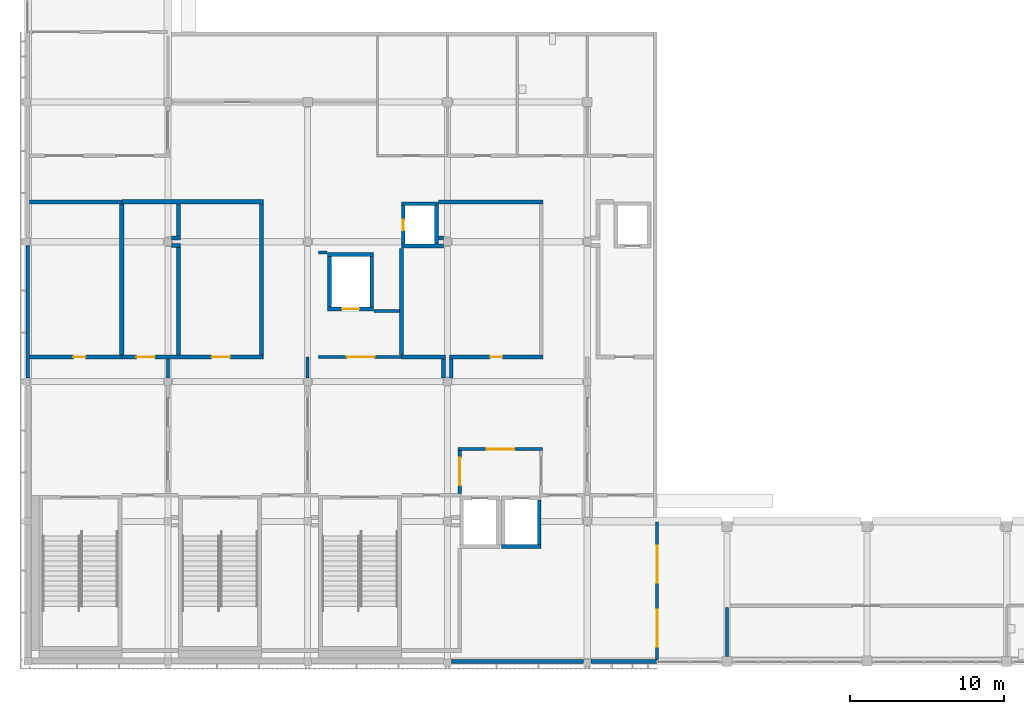
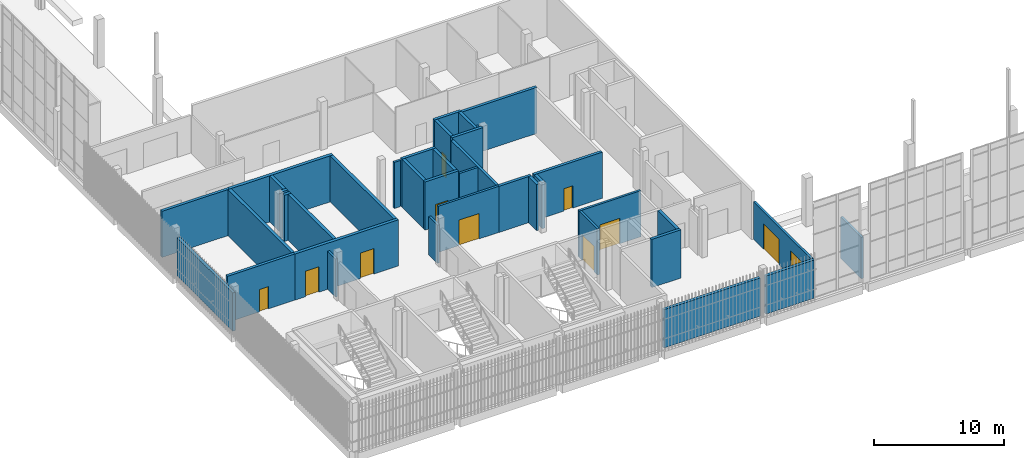
# One storey, part 41 of 91: 39 walls, 11 doors, 11 openings.
"""IFC4 building model written with IfcOpenShell, lengths in metres."""

import ifcopenshell
import ifcopenshell.guid

model = None  # the IFC model being written
_history = None  # IfcOwnerHistory: only IFC2X3 demands one
_inside = {}  # id of a spatial element -> (the spatial element, [elements in it])
_under = {}  # id of a project, library or spatial element -> (it, [spatial elements below it])
_declared = {}  # id of a project -> (the project, [libraries it declares])
_typed = {}  # id of a type object -> (the type object, [elements of that type])
_made_of = {}  # id of a material, layer set ... -> (it, [elements and type objects made of it])


def new_model(schema):
    """Start an empty IFC model of exactly this schema.

    Asked for "IFC4X3", IfcOpenShell would pick the latest addendum, in which some entities
    have other attributes; the version numbers below select the first issue.
    IFC2X3 requires an IfcOwnerHistory on every rooted entity: one is made here for all.
    """
    global model, _history
    if schema == "IFC4X3":
        model = ifcopenshell.file(schema_version=(4, 3, 0, 0))
    else:
        model = ifcopenshell.file(schema=schema)
    _inside.clear()
    _under.clear()
    _declared.clear()
    _typed.clear()
    _made_of.clear()
    _history = None
    if model.schema == "IFC2X3":
        org = make("IfcOrganization", Name="unknown")
        user = make(
            "IfcPersonAndOrganization",
            ThePerson=make("IfcPerson", FamilyName="unknown"),
            TheOrganization=org,
        )
        app = make(
            "IfcApplication",
            ApplicationDeveloper=org,
            Version="unknown",
            ApplicationFullName="unknown",
            ApplicationIdentifier="unknown",
        )
        _history = make(
            "IfcOwnerHistory",
            OwningUser=user,
            OwningApplication=app,
            ChangeAction="ADDED",
            CreationDate=0,
        )
    return model


def make(cls, **values):
    """One entity of the class cls with the attributes given. An attribute that is None is left unset."""
    return model.create_entity(
        cls, **{name: value for name, value in values.items() if value is not None}
    )


def rooted(cls, **values):
    """An entity with a GlobalId (a new one), such as an element, a storey or a relation."""
    return make(cls, GlobalId=ifcopenshell.guid.new(), OwnerHistory=_history, **values)


def si_unit(unit_type, name, prefix=None):
    """IfcSIUnit, for example si_unit("LENGTHUNIT", "METRE", prefix="MILLI")."""
    return make("IfcSIUnit", UnitType=unit_type, Prefix=prefix, Name=name)


def assignment(units):
    """IfcUnitAssignment: the units of a project."""
    return None if units is None else make("IfcUnitAssignment", Units=units)


def point(xyz):
    """IfcCartesianPoint."""
    return None if xyz is None else make("IfcCartesianPoint", Coordinates=xyz)


def direction(xyz):
    """IfcDirection."""
    return None if xyz is None else make("IfcDirection", DirectionRatios=xyz)


def frame(location, z_axis=None, x_axis=None):
    """IfcAxis2Placement3D, a coordinate frame: its origin and axes. An axis left out is left unset."""
    return make(
        "IfcAxis2Placement3D",
        Location=point(location),
        Axis=direction(z_axis),
        RefDirection=direction(x_axis),
    )


def frame_2d(location, x_axis=None):
    """IfcAxis2Placement2D, a coordinate frame in the plane: its origin and x axis."""
    return make(
        "IfcAxis2Placement2D", Location=point(location), RefDirection=direction(x_axis)
    )


def origin():
    """The frame at (0, 0, 0) with its axes left unset."""
    return frame((0.0, 0.0, 0.0))


def place(relative_to, where):
    """IfcLocalPlacement: puts the frame where relative to a parent placement (None: the world)."""
    return make(
        "IfcLocalPlacement", PlacementRelTo=relative_to, RelativePlacement=where
    )


def context(
    kind, dimensions, precision=None, world=None, true_north=None, identifier=None
):
    """IfcGeometricRepresentationContext, for example the 3D "Model" context."""
    return make(
        "IfcGeometricRepresentationContext",
        ContextIdentifier=identifier,
        ContextType=kind,
        CoordinateSpaceDimension=dimensions,
        Precision=precision,
        WorldCoordinateSystem=world,
        TrueNorth=true_north,
    )


def subcontext(parent, identifier, kind, view, scale=None):
    """IfcGeometricRepresentationSubContext, for example "Body" below "Model"."""
    return make(
        "IfcGeometricRepresentationSubContext",
        ContextIdentifier=identifier,
        ContextType=kind,
        ParentContext=parent,
        TargetScale=scale,
        TargetView=view,
    )


def project(units=None, contexts=None):
    """IfcProject with its units and contexts."""
    return rooted(
        "IfcProject",
        Name="project",
        RepresentationContexts=contexts,
        UnitsInContext=assignment(units),
    )


def spatial(cls, under=None, at=None, **own):
    """A site, building, storey or space (cls), placed at a placement, below another one or the project."""
    s = rooted(cls, ObjectPlacement=at, **own)
    if under is not None:
        _under.setdefault(under.id(), (under, []))[1].append(s)
    return s


def profile(cls, at=None, kind="AREA", **sizes):
    """A parametric profile (cls). Its sizes go by their IFC names, for example OverallWidth=200.0."""
    return make(cls, ProfileType=kind, Position=at, **sizes)


def rectangle(**sizes):
    """IfcRectangleProfileDef."""
    return profile("IfcRectangleProfileDef", **sizes)


def extrude(swept, where, along, depth):
    """IfcExtrudedAreaSolid: the profile swept, set in the frame where, extruded along a direction by depth."""
    return make(
        "IfcExtrudedAreaSolid",
        SweptArea=swept,
        Position=where,
        ExtrudedDirection=direction(along),
        Depth=depth,
    )


def shape(context_of_items, identifier, shape_type, items):
    """IfcShapeRepresentation: the items that make up one representation, for example the "Body"."""
    return make(
        "IfcShapeRepresentation",
        ContextOfItems=context_of_items,
        RepresentationIdentifier=identifier,
        RepresentationType=shape_type,
        Items=items,
    )


def material(Name=None, Category=None):
    """IfcMaterial."""
    return make("IfcMaterial", Name=Name, Category=Category)


def layer(
    of_material, thickness, ventilated=None, Name=None, Category=None, Priority=None
):
    """IfcMaterialLayer: one layer of a wall or slab, of a material (None: an air gap)."""
    return make(
        "IfcMaterialLayer",
        Material=of_material,
        LayerThickness=thickness,
        IsVentilated=ventilated,
        Name=Name,
        Category=Category,
        Priority=Priority,
    )


def layer_set(layers, Name=None):
    """IfcMaterialLayerSet."""
    return make("IfcMaterialLayerSet", MaterialLayers=layers, LayerSetName=Name)


def made_of(thing, what):
    """Note that an element or type object is made of a material, layer set ...; save() writes the relation."""
    if what is not None:
        _made_of.setdefault(what.id(), (what, []))[1].append(thing)
    return thing


def type_object(cls, material=None, **own):
    """A type object (cls), such as IfcWallType, which elements share."""
    return made_of(rooted(cls, **own), material)


def element(
    cls,
    number,
    at=None,
    inside=None,
    cuts=None,
    type_object=None,
    material=None,
    context=None,
    identifier="Body",
    shape_type=None,
    held_by="IfcProductDefinitionShape",
    body=None,
    shapes=None,
    **own,
):
    """One element of the class cls, such as IfcWall. Its Tag is "e" and its number.

    at: its placement. inside: the storey or other place that contains it. cuts: it is an
    opening in that element (IfcRelVoidsElement). A single representation is given by context,
    identifier, shape_type and body (its items); several are given by shapes. held_by: the class
    of the entity that holds the representations. save() writes the other relations.
    """
    e = rooted(cls, Tag="e%d" % number, ObjectPlacement=at, **own)
    if body is not None:
        shapes = [shape(context, identifier, shape_type, body)]
    if shapes is not None:
        e.Representation = make(held_by, Representations=shapes)
    if inside is not None:
        _inside.setdefault(inside.id(), (inside, []))[1].append(e)
    if cuts is not None:
        rooted(
            "IfcRelVoidsElement", RelatingBuildingElement=cuts, RelatedOpeningElement=e
        )
    if type_object is not None:
        _typed.setdefault(type_object.id(), (type_object, []))[1].append(e)
    return made_of(e, material)


def fill(opening, filler):
    """IfcRelFillsElement: the door or window that sits in an opening."""
    return rooted(
        "IfcRelFillsElement",
        RelatingOpeningElement=opening,
        RelatedBuildingElement=filler,
    )


def aggregate(whole, parts):
    """IfcRelAggregates: a whole, such as a stair, and the parts it consists of."""
    return rooted("IfcRelAggregates", RelatingObject=whole, RelatedObjects=parts)


def save(model, path):
    """Write the relations noted so far, then the file.

    IfcRelAggregates (storeys below a building ...), IfcRelContainedInSpatialStructure (elements
    in a storey), IfcRelDefinesByType, IfcRelAssociatesMaterial and IfcRelDeclares: one each for
    every whole, place, type object, material and project.
    """
    for whole, parts in _under.values():
        aggregate(whole, parts)
    for where, things in _inside.values():
        rooted(
            "IfcRelContainedInSpatialStructure",
            RelatedElements=things,
            RelatingStructure=where,
        )
    for kind, things in _typed.values():
        rooted("IfcRelDefinesByType", RelatedObjects=things, RelatingType=kind)
    for what, things in _made_of.values():
        rooted("IfcRelAssociatesMaterial", RelatedObjects=things, RelatingMaterial=what)
    for by, libraries in _declared.values():
        rooted("IfcRelDeclares", RelatingContext=by, RelatedDefinitions=libraries)
    model.write(path)


model = new_model("IFC4")

# Units and contexts
model_context = context("Model", 3, precision=1e-05, world=origin(), true_north=direction((0.0, 1.0)))
body_context = subcontext(model_context, "Body", "Model", "MODEL_VIEW")
ifc_project = project(units=[si_unit("LENGTHUNIT", "METRE"), si_unit("AREAUNIT", "SQUARE_METRE"), si_unit("VOLUMEUNIT", "CUBIC_METRE"), si_unit("PLANEANGLEUNIT", "RADIAN"), si_unit("MASSUNIT", "GRAM", prefix="KILO")], contexts=[model_context])

# Site, building, storey
site_placement = place(None, origin())
site = spatial("IfcSite", under=ifc_project, at=site_placement, CompositionType="ELEMENT")
building_placement = place(site_placement, origin())
building = spatial("IfcBuilding", under=site, at=building_placement, Name="Shirokan Park Arena", CompositionType="ELEMENT")
storey_placement = place(building_placement, frame((0.0, 0.0, 24.570068359375)))
storey = spatial("IfcBuildingStorey", under=building, at=storey_placement, Name="L05", CompositionType="ELEMENT", Elevation=24.570068359375)

# Wall, opening, door
ifc_material_1 = material(Name="Plaster")
ifc_layer_1 = layer(ifc_material_1, 0.014892578125, Name="Plaster")
ifc_material_2 = material(Name="Concrete blockwork", Category="masonry")
ifc_layer_2 = layer(ifc_material_2, 0.219970703125, Name="Concrete blockwork 220")
ifc_layer_3 = layer(ifc_material_1, 0.014892578125, Name="Plaster")
ifc_layer_set_1 = layer_set([ifc_layer_1, ifc_layer_2, ifc_layer_3], Name="Plaster + Concrete blockwork 220")
wall_type_1 = type_object("IfcWallType", Name="Compartment wall 250", PredefinedType="SOLIDWALL", material=ifc_layer_set_1)
wall_1_placement = place(storey_placement, frame((0.10009765625, 19.800048828125, 0.0), z_axis=(0.0, 0.0, 1.0), x_axis=(1.0, 0.0, 0.0)))
wall_1 = element("IfcWall", 1, at=wall_1_placement, inside=storey, type_object=wall_type_1, Name="Compartment wall 250 L05", PredefinedType="SOLIDWALL", context=body_context, shape_type="SweptSolid", body=[
    extrude(rectangle(XDim=6.0, YDim=0.25, at=frame_2d((3.0, 0.0))), origin(), (0.0, 0.0, 1.0), 4.349853515625),
])
opening_1_placement = place(wall_1_placement, frame((2.85009765625, 0.0, 0.0)))
opening_1 = element("IfcOpeningElement", 2, at=opening_1_placement, cuts=wall_1, Name="Opening D-5004", PredefinedType="OPENING", context=body_context, shape_type="SweptSolid", body=[
    extrude(rectangle(XDim=0.800048828125, YDim=2.10009765625, at=frame_2d((0.39990234375, 1.050048828125))), frame((0.0, 0.135009765625, 0.0), z_axis=(0.0, -1.0, 0.0), x_axis=(1.0, 0.0, 0.0)), (0.0, 0.0, 1.0), 0.27001953125),
])
ifc_material_3 = material(Name="Timber door set, fire resisting", Category="wood")
door_type_1 = type_object("IfcDoorType", Name="Cleaner store door 800 x 2100", OperationType="SINGLE_SWING_LEFT", PredefinedType="DOOR", material=ifc_material_3)
door_1_placement = place(opening_1_placement, origin())
door_1 = element("IfcDoor", 3, at=door_1_placement, inside=storey, type_object=door_type_1, Name="Door to Cleaner's Store 5.15 D-5004", OperationType="SINGLE_SWING_RIGHT", OverallHeight=2.10009765625, OverallWidth=0.800048828125, PredefinedType="DOOR", context=body_context, shape_type="SweptSolid", body=[
    extrude(rectangle(XDim=0.800048828125, YDim=2.10009765625, at=frame_2d((0.39990234375, 1.050048828125))), frame((0.0, 0.02490234375, 0.0), z_axis=(0.0, -1.0, 0.0), x_axis=(1.0, 0.0, 0.0)), (0.0, 0.0, 1.0), 0.050048828125),
])
fill(opening_1, door_1)

# Walls
wall_2_placement = place(storey_placement, frame((0.10009765625, 29.89990234375, 0.0), z_axis=(0.0, 0.0, 1.0), x_axis=(1.0, 0.0, 0.0)))
element("IfcWall", 4, at=wall_2_placement, inside=storey, type_object=wall_type_1, Name="Compartment wall 250 L05", PredefinedType="SOLIDWALL", context=body_context, shape_type="SweptSolid", body=[
    extrude(rectangle(XDim=6.0, YDim=0.25, at=frame_2d((3.0, 0.0))), origin(), (0.0, 0.0, 1.0), 4.349853515625),
])
wall_3_placement = place(storey_placement, frame((24.300048828125, 19.800048828125, 0.0), z_axis=(0.0, 0.0, 1.0), x_axis=(1.0, 0.0, 0.0)))
element("IfcWall", 5, at=wall_3_placement, inside=storey, type_object=wall_type_1, Name="Compartment wall 250 L05", PredefinedType="SOLIDWALL", context=body_context, shape_type="SweptSolid", body=[
    extrude(rectangle(XDim=2.875, YDim=0.25, at=frame_2d((1.4375, 0.0))), origin(), (0.0, 0.0, 1.0), 4.349853515625),
])
wall_4_placement = place(storey_placement, frame((24.300048828125, 19.925048828125, 0.0), z_axis=(0.0, 0.0, 1.0), x_axis=(0.0, 1.0, 0.0)))
element("IfcWall", 6, at=wall_4_placement, inside=storey, type_object=wall_type_1, Name="Compartment wall 250 L05", PredefinedType="SOLIDWALL", context=body_context, shape_type="SweptSolid", body=[
    extrude(rectangle(XDim=6.945068359375, YDim=0.25, at=frame_2d((3.47265625, 0.0))), origin(), (0.0, 0.0, 1.0), 4.349853515625),
])
wall_5_placement = place(storey_placement, frame((26.72998046875, 29.89990234375, 0.0), z_axis=(0.0, 0.0, 1.0), x_axis=(1.0, 0.0, 0.0)))
element("IfcWall", 7, at=wall_5_placement, inside=storey, type_object=wall_type_1, Name="Compartment wall 250 L05", PredefinedType="SOLIDWALL", context=body_context, shape_type="SweptSolid", body=[
    extrude(rectangle(XDim=6.794921875, YDim=0.25, at=frame_2d((3.3974609375, 0.0))), origin(), (0.0, 0.0, 1.0), 4.349853515625),
])
wall_6_placement = place(storey_placement, frame((27.050048828125, 19.675048828125, 0.0), z_axis=(0.0, 0.0, 1.0), x_axis=(0.0, -1.0, 0.0)))
element("IfcWall", 8, at=wall_6_placement, inside=storey, type_object=wall_type_1, Name="Compartment wall 250 L05", PredefinedType="SOLIDWALL", context=body_context, shape_type="SweptSolid", body=[
    extrude(rectangle(XDim=1.22509765625, YDim=0.25, at=frame_2d((0.612548828125, 0.0))), origin(), (0.0, 0.0, 1.0), 4.349853515625),
])
wall_7_placement = place(storey_placement, frame((27.050048828125, 27.550048828125, 0.0), z_axis=(0.0, 0.0, 1.0), x_axis=(-1.0, 0.0, 0.0)))
element("IfcWall", 9, at=wall_7_placement, inside=storey, type_object=wall_type_1, Name="Compartment wall 250 L05", PredefinedType="SOLIDWALL", context=body_context, shape_type="SweptSolid", body=[
    extrude(rectangle(XDim=0.320068359375, YDim=0.25, at=frame_2d((0.16015625, 0.0))), origin(), (0.0, 0.0, 1.0), 4.349853515625),
])

# Wall, opening, door
wall_8_placement = place(storey_placement, frame((27.425048828125, 19.800048828125, 0.0), z_axis=(0.0, 0.0, 1.0), x_axis=(1.0, 0.0, 0.0)))
wall_8 = element("IfcWall", 10, at=wall_8_placement, inside=storey, type_object=wall_type_1, Name="Compartment wall 250 L05", PredefinedType="SOLIDWALL", context=body_context, shape_type="SweptSolid", body=[
    extrude(rectangle(XDim=6.099853515625, YDim=0.25, at=frame_2d((3.0498046875, 0.0))), origin(), (0.0, 0.0, 1.0), 4.349853515625),
])
opening_2_placement = place(wall_8_placement, frame((2.64990234375, 0.0, 0.0)))
opening_2 = element("IfcOpeningElement", 11, at=opening_2_placement, cuts=wall_8, Name="Opening D-5002", PredefinedType="OPENING", context=body_context, shape_type="SweptSolid", body=[
    extrude(rectangle(XDim=0.800048828125, YDim=2.10009765625, at=frame_2d((0.39990234375, 1.050048828125))), frame((0.0, 0.135009765625, 0.0), z_axis=(0.0, -1.0, 0.0), x_axis=(1.0, 0.0, 0.0)), (0.0, 0.0, 1.0), 0.27001953125),
])
door_2_placement = place(opening_2_placement, origin())
door_2 = element("IfcDoor", 12, at=door_2_placement, inside=storey, type_object=door_type_1, Name="Door to Cleaner's Store 5.18 D-5002", OperationType="SINGLE_SWING_LEFT", OverallHeight=2.10009765625, OverallWidth=0.800048828125, PredefinedType="DOOR", context=body_context, shape_type="SweptSolid", body=[
    extrude(rectangle(XDim=0.800048828125, YDim=2.10009765625, at=frame_2d((0.39990234375, 1.050048828125))), frame((0.0, 0.02490234375, 0.0), z_axis=(0.0, -1.0, 0.0), x_axis=(1.0, 0.0, 0.0)), (0.0, 0.0, 1.0), 0.050048828125),
])
fill(opening_2, door_2)

# Walls
wall_9_placement = place(storey_placement, frame((27.550048828125, 18.449951171875, 0.0), z_axis=(0.0, 0.0, 1.0), x_axis=(0.0, 1.0, 0.0)))
element("IfcWall", 13, at=wall_9_placement, inside=storey, type_object=wall_type_1, Name="Compartment wall 250 L05", PredefinedType="SOLIDWALL", context=body_context, shape_type="SweptSolid", body=[
    extrude(rectangle(XDim=1.22509765625, YDim=0.25, at=frame_2d((0.612548828125, 0.0))), origin(), (0.0, 0.0, 1.0), 4.349853515625),
])
ifc_material_4 = material(Name="Gypsum board")
ifc_layer_4 = layer(ifc_material_4, 0.02490234375, Name="Gypsum board, two layers")
ifc_material_5 = material(Name="Mineral wool insulation")
ifc_layer_5 = layer(ifc_material_5, 0.14990234375, Name="Mineral wool insulation")
ifc_layer_6 = layer(ifc_material_4, 0.02490234375, Name="Gypsum board, two layers")
ifc_layer_set_2 = layer_set([ifc_layer_4, ifc_layer_5, ifc_layer_6], Name="Gypsum board, two layers + Mineral wool insulation")
wall_type_2 = type_object("IfcWallType", Name="Corridor wall 200", PredefinedType="PARTITIONING", material=ifc_layer_set_2)
wall_10_placement = place(storey_placement, frame((9.10009765625, 19.66259765625, 0.0), z_axis=(0.0, 0.0, 1.0), x_axis=(0.0, -1.0, 0.0)))
element("IfcWall", 14, at=wall_10_placement, inside=storey, type_object=wall_type_2, Name="Corridor wall 200 L05", PredefinedType="PARTITIONING", context=body_context, shape_type="SweptSolid", body=[
    extrude(rectangle(XDim=1.212646484375, YDim=0.199951171875, at=frame_2d((0.6064453125, 0.0))), origin(), (0.0, 0.0, 1.0), 3.599853515625),
])
wall_11_placement = place(storey_placement, frame((18.199951171875, 19.800048828125, 0.0), z_axis=(0.0, 0.0, 1.0), x_axis=(0.0, -1.0, 0.0)))
element("IfcWall", 15, at=wall_11_placement, inside=storey, type_object=wall_type_2, Name="Corridor wall 200 L05", PredefinedType="PARTITIONING", context=body_context, shape_type="SweptSolid", body=[
    extrude(rectangle(XDim=1.35009765625, YDim=0.199951171875, at=frame_2d((0.675048828125, 0.0))), origin(), (0.0, 0.0, 1.0), 3.599853515625),
])

# Wall, opening, door
wall_12_placement = place(storey_placement, frame((18.89990234375, 19.800048828125, 0.0), z_axis=(0.0, 0.0, 1.0), x_axis=(1.0, 0.0, 0.0)))
wall_12 = element("IfcWall", 16, at=wall_12_placement, inside=storey, type_object=wall_type_2, Name="Corridor wall 200 L05", PredefinedType="PARTITIONING", context=body_context, shape_type="SweptSolid", body=[
    extrude(rectangle(XDim=5.400146484375, YDim=0.199951171875, at=frame_2d((2.7001953125, 0.0))), origin(), (0.0, 0.0, 1.0), 4.349853515625),
])
opening_3_placement = place(wall_12_placement, frame((1.85009765625, 0.0, 0.0)))
opening_3 = element("IfcOpeningElement", 17, at=opening_3_placement, cuts=wall_12, Name="Opening D-5070", PredefinedType="OPENING", context=body_context, shape_type="SweptSolid", body=[
    extrude(rectangle(XDim=1.800048828125, YDim=2.39990234375, at=frame_2d((0.89990234375, 1.199951171875))), frame((0.0, 0.10986328125, 0.0), z_axis=(0.0, -1.0, 0.0), x_axis=(1.0, 0.0, 0.0)), (0.0, 0.0, 1.0), 0.219970703125),
])
ifc_material_6 = material(Name="Glazed steel door set, fire resisting", Category="steel")
door_type_2 = type_object("IfcDoorType", Name="Lift lobby door 1800 x 2400", OperationType="DOUBLE_DOOR_SINGLE_SWING", PredefinedType="DOOR", material=ifc_material_6)
door_3_placement = place(opening_3_placement, origin())
door_3 = element("IfcDoor", 18, at=door_3_placement, inside=storey, type_object=door_type_2, Name="Door between Stair Lobby 1.5.3 and Service Lift Lobby 1.5 D-5070", OperationType="DOUBLE_DOOR_SINGLE_SWING", OverallHeight=2.39990234375, OverallWidth=1.800048828125, PredefinedType="DOOR", context=body_context, shape_type="SweptSolid", body=[
    extrude(rectangle(XDim=1.800048828125, YDim=2.39990234375, at=frame_2d((0.89990234375, 1.199951171875))), frame((0.0, 0.02490234375, 0.0), z_axis=(0.0, -1.0, 0.0), x_axis=(1.0, 0.0, 0.0)), (0.0, 0.0, 1.0), 0.050048828125),
])
fill(opening_3, door_3)

# Walls
wall_13_placement = place(storey_placement, frame((18.89990234375, 26.60009765625, 0.0), z_axis=(0.0, 0.0, 1.0), x_axis=(1.0, 0.0, 0.0)))
element("IfcWall", 19, at=wall_13_placement, inside=storey, type_object=wall_type_2, Name="Corridor wall 200 L05", PredefinedType="PARTITIONING", context=body_context, shape_type="SweptSolid", body=[
    extrude(rectangle(XDim=0.570068359375, YDim=0.199951171875, at=frame_2d((0.28515625, 0.0))), origin(), (0.0, 0.0, 1.0), 4.349853515625),
])
wall_14_placement = place(storey_placement, frame((22.530029296875, 22.800048828125, 0.0), z_axis=(0.0, 0.0, 1.0), x_axis=(1.0, 0.0, 0.0)))
element("IfcWall", 20, at=wall_14_placement, inside=storey, type_object=wall_type_2, Name="Corridor wall 200 L05", PredefinedType="PARTITIONING", context=body_context, shape_type="SweptSolid", body=[
    extrude(rectangle(XDim=1.64501953125, YDim=0.199951171875, at=frame_2d((0.822509765625, 0.0))), origin(), (0.0, 0.0, 1.0), 4.349853515625),
])

# Wall, opening, door
wall_15_placement = place(storey_placement, frame((28.10009765625, 13.699951171875, 0.0), z_axis=(0.0, 0.0, 1.0), x_axis=(0.0, -1.0, 0.0)))
wall_15 = element("IfcWall", 21, at=wall_15_placement, inside=storey, type_object=wall_type_2, Name="Corridor wall 200 L05", PredefinedType="PARTITIONING", context=body_context, shape_type="SweptSolid", body=[
    extrude(rectangle(XDim=2.77490234375, YDim=0.199951171875, at=frame_2d((1.387451171875, 0.0))), origin(), (0.0, 0.0, 1.0), 4.349853515625),
])
opening_4_placement = place(wall_15_placement, frame((0.449951171875, 0.0, 0.0)))
opening_4 = element("IfcOpeningElement", 22, at=opening_4_placement, cuts=wall_15, Name="Opening D-5069", PredefinedType="OPENING", context=body_context, shape_type="SweptSolid", body=[
    extrude(rectangle(XDim=1.800048828125, YDim=2.39990234375, at=frame_2d((0.89990234375, 1.199951171875))), frame((0.0, 0.10986328125, 0.0), z_axis=(0.0, -1.0, 0.0), x_axis=(1.0, 0.0, 0.0)), (0.0, 0.0, 1.0), 0.219970703125),
])
door_4_placement = place(opening_4_placement, origin())
door_4 = element("IfcDoor", 23, at=door_4_placement, inside=storey, type_object=door_type_2, Name="Door between Stair Lobby 1.5.3 and Lift Lobby 1.5 D-5069", OperationType="DOUBLE_DOOR_SINGLE_SWING", OverallHeight=2.39990234375, OverallWidth=1.800048828125, PredefinedType="DOOR", context=body_context, shape_type="SweptSolid", body=[
    extrude(rectangle(XDim=1.800048828125, YDim=2.39990234375, at=frame_2d((0.89990234375, 1.199951171875))), frame((0.0, 0.02490234375, 0.0), z_axis=(0.0, -1.0, 0.0), x_axis=(1.0, 0.0, 0.0)), (0.0, 0.0, 1.0), 0.050048828125),
])
fill(opening_4, door_4)

wall_16_placement = place(storey_placement, frame((33.5, 13.800048828125, 0.0), z_axis=(0.0, 0.0, 1.0), x_axis=(-1.0, 0.0, 0.0)))
wall_16 = element("IfcWall", 24, at=wall_16_placement, inside=storey, type_object=wall_type_2, Name="Corridor wall 200 L05", PredefinedType="PARTITIONING", context=body_context, shape_type="SweptSolid", body=[
    extrude(rectangle(XDim=5.5, YDim=0.199951171875, at=frame_2d((2.75, 0.0))), origin(), (0.0, 0.0, 1.0), 4.349853515625),
])
opening_5_placement = place(wall_16_placement, frame((1.85009765625, 0.0, 0.0)))
opening_5 = element("IfcOpeningElement", 25, at=opening_5_placement, cuts=wall_16, Name="Opening D-5067", PredefinedType="OPENING", context=body_context, shape_type="SweptSolid", body=[
    extrude(rectangle(XDim=1.800048828125, YDim=2.39990234375, at=frame_2d((0.89990234375, 1.199951171875))), frame((0.0, 0.10986328125, 0.0), z_axis=(0.0, -1.0, 0.0), x_axis=(1.0, 0.0, 0.0)), (0.0, 0.0, 1.0), 0.219970703125),
])
door_5_placement = place(opening_5_placement, origin())
door_5 = element("IfcDoor", 26, at=door_5_placement, inside=storey, type_object=door_type_2, Name="Door between Stair Lobby 1.5.3 and Lift Lobby 1.5 D-5067", OperationType="DOUBLE_DOOR_SINGLE_SWING", OverallHeight=2.39990234375, OverallWidth=1.800048828125, PredefinedType="DOOR", context=body_context, shape_type="SweptSolid", body=[
    extrude(rectangle(XDim=1.800048828125, YDim=2.39990234375, at=frame_2d((0.89990234375, 1.199951171875))), frame((0.0, 0.02490234375, 0.0), z_axis=(0.0, -1.0, 0.0), x_axis=(1.0, 0.0, 0.0)), (0.0, 0.0, 1.0), 0.050048828125),
])
fill(opening_5, door_5)

# Wall, openings, doors
wall_17_placement = place(storey_placement, frame((40.949951171875, 0.10009765625, 0.0), z_axis=(0.0, 0.0, 1.0), x_axis=(0.0, 1.0, 0.0)))
wall_17 = element("IfcWall", 27, at=wall_17_placement, inside=storey, type_object=wall_type_2, Name="Corridor wall 200 L05", PredefinedType="PARTITIONING", context=body_context, shape_type="SweptSolid", body=[
    extrude(rectangle(XDim=8.969970703125, YDim=0.199951171875, at=frame_2d((4.48486328125, 0.0))), origin(), (0.0, 0.0, 1.0), 3.550048828125),
])
opening_6_placement = place(wall_17_placement, frame((5.02001953125, 0.0, 0.0)))
opening_6 = element("IfcOpeningElement", 28, at=opening_6_placement, cuts=wall_17, Name="Opening D-5075", PredefinedType="OPENING", context=body_context, shape_type="SweptSolid", body=[
    extrude(rectangle(XDim=2.39990234375, YDim=2.39990234375, at=frame_2d((1.199951171875, 1.199951171875))), frame((0.0, 0.10986328125, 0.0), z_axis=(0.0, -1.0, 0.0), x_axis=(1.0, 0.0, 0.0)), (0.0, 0.0, 1.0), 0.219970703125),
])
opening_7_placement = place(wall_17_placement, frame((0.85009765625, 0.0, 0.0)))
opening_7 = element("IfcOpeningElement", 29, at=opening_7_placement, cuts=wall_17, Name="Opening D-5076", PredefinedType="OPENING", context=body_context, shape_type="SweptSolid", body=[
    extrude(rectangle(XDim=2.39990234375, YDim=2.39990234375, at=frame_2d((1.199951171875, 1.199951171875))), frame((0.0, 0.10986328125, 0.0), z_axis=(0.0, -1.0, 0.0), x_axis=(1.0, 0.0, 0.0)), (0.0, 0.0, 1.0), 0.219970703125),
])
ifc_material_7 = material(Name="Steel door set, fire resisting", Category="steel")
door_type_3 = type_object("IfcDoorType", Name="Double door 2400 x 2400", OperationType="DOUBLE_DOOR_SINGLE_SWING", PredefinedType="DOOR", material=ifc_material_7)
door_6_placement = place(opening_6_placement, origin())
door_6 = element("IfcDoor", 30, at=door_6_placement, inside=storey, type_object=door_type_3, Name="Door between Ring Link 1.5 and Concourse L05 South Hall D-5075", OperationType="DOUBLE_DOOR_SINGLE_SWING", OverallHeight=2.39990234375, OverallWidth=2.39990234375, PredefinedType="DOOR", context=body_context, shape_type="SweptSolid", body=[
    extrude(rectangle(XDim=2.39990234375, YDim=2.39990234375, at=frame_2d((1.199951171875, 1.199951171875))), frame((0.0, 0.02490234375, 0.0), z_axis=(0.0, -1.0, 0.0), x_axis=(1.0, 0.0, 0.0)), (0.0, 0.0, 1.0), 0.050048828125),
])
fill(opening_6, door_6)
door_7_placement = place(opening_7_placement, origin())
door_7 = element("IfcDoor", 31, at=door_7_placement, inside=storey, type_object=door_type_3, Name="Door between Ring Link 1.5 and Concourse L05 South Hall D-5076", OperationType="DOUBLE_DOOR_SINGLE_SWING", OverallHeight=2.39990234375, OverallWidth=2.39990234375, PredefinedType="DOOR", context=body_context, shape_type="SweptSolid", body=[
    extrude(rectangle(XDim=2.39990234375, YDim=2.39990234375, at=frame_2d((1.199951171875, 1.199951171875))), frame((0.0, 0.02490234375, 0.0), z_axis=(0.0, -1.0, 0.0), x_axis=(1.0, 0.0, 0.0)), (0.0, 0.0, 1.0), 0.050048828125),
])
fill(opening_7, door_7)

# Wall
ifc_material_8 = material(Name="Concrete C35", Category="concrete")
ifc_layer_7 = layer(ifc_material_8, 0.199951171875)
ifc_layer_set_3 = layer_set([ifc_layer_7], Name="Concrete C35 200 mm")
wall_type_3 = type_object("IfcWallType", Name="Pavilion RC wall 200", PredefinedType="SOLIDWALL", material=ifc_layer_set_3)
wall_18_placement = place(storey_placement, frame((45.5, 3.5, 0.0), z_axis=(0.0, 0.0, 1.0), x_axis=(0.0, -1.0, 0.0)))
element("IfcWall", 32, at=wall_18_placement, inside=storey, type_object=wall_type_3, Name="Corridor wall 200 L05", PredefinedType="PARTITIONING", context=body_context, shape_type="SweptSolid", body=[
    extrude(rectangle(XDim=3.199951171875, YDim=0.199951171875, at=frame_2d((1.60009765625, 0.0))), origin(), (0.0, 0.0, 1.0), 3.89990234375),
])

# Wall, openings, doors
ifc_layer_8 = layer(ifc_material_1, 0.012451171875, Name="Plaster")
ifc_layer_9 = layer(ifc_material_2, 0.25, Name="Concrete blockwork 250")
ifc_layer_10 = layer(ifc_material_1, 0.012451171875, Name="Plaster")
ifc_layer_set_4 = layer_set([ifc_layer_8, ifc_layer_9, ifc_layer_10], Name="Plaster + Concrete blockwork 250")
wall_type_4 = type_object("IfcWallType", Name="Plant room wall 275", PredefinedType="SOLIDWALL", material=ifc_layer_set_4)
wall_19_placement = place(storey_placement, frame((6.10009765625, 19.800048828125, 0.0), z_axis=(0.0, 0.0, 1.0), x_axis=(1.0, 0.0, 0.0)))
wall_19 = element("IfcWall", 33, at=wall_19_placement, inside=storey, type_object=wall_type_4, Name="Plant room wall 275 L05", PredefinedType="SOLIDWALL", context=body_context, shape_type="SweptSolid", body=[
    extrude(rectangle(XDim=9.2373046875, YDim=0.27490234375, at=frame_2d((4.61865234375, 0.0))), origin(), (0.0, 0.0, 1.0), 4.349853515625),
])
opening_8_placement = place(wall_19_placement, frame((0.949951171875, 0.0, 0.0)))
opening_8 = element("IfcOpeningElement", 34, at=opening_8_placement, cuts=wall_19, Name="Opening D-5001", PredefinedType="OPENING", context=body_context, shape_type="SweptSolid", body=[
    extrude(rectangle(XDim=1.199951171875, YDim=2.39990234375, at=frame_2d((0.60009765625, 1.199951171875))), frame((0.0, 0.1474609375, 0.0), z_axis=(0.0, -1.0, 0.0), x_axis=(1.0, 0.0, 0.0)), (0.0, 0.0, 1.0), 0.294921875),
])
opening_9_placement = place(wall_19_placement, frame((5.85009765625, 0.0, 0.0)))
opening_9 = element("IfcOpeningElement", 35, at=opening_9_placement, cuts=wall_19, Name="Opening D-5005", PredefinedType="OPENING", context=body_context, shape_type="SweptSolid", body=[
    extrude(rectangle(XDim=1.199951171875, YDim=2.39990234375, at=frame_2d((0.60009765625, 1.199951171875))), frame((0.0, 0.1474609375, 0.0), z_axis=(0.0, -1.0, 0.0), x_axis=(1.0, 0.0, 0.0)), (0.0, 0.0, 1.0), 0.294921875),
])
ifc_material_9 = material(Name="Louvred steel door set, fire resisting", Category="steel")
door_type_4 = type_object("IfcDoorType", Name="Plant room door 1200 x 2400", OperationType="SINGLE_SWING_LEFT", PredefinedType="DOOR", material=ifc_material_9)
door_8_placement = place(opening_8_placement, origin())
door_8 = element("IfcDoor", 36, at=door_8_placement, inside=storey, type_object=door_type_4, Name="Door to Communications Room 5.17 D-5001", OperationType="SINGLE_SWING_LEFT", OverallHeight=2.39990234375, OverallWidth=1.199951171875, PredefinedType="DOOR", context=body_context, shape_type="SweptSolid", body=[
    extrude(rectangle(XDim=1.199951171875, YDim=2.39990234375, at=frame_2d((0.60009765625, 1.199951171875))), frame((0.0, 0.02490234375, 0.0), z_axis=(0.0, -1.0, 0.0), x_axis=(1.0, 0.0, 0.0)), (0.0, 0.0, 1.0), 0.050048828125),
])
fill(opening_8, door_8)
door_9_placement = place(opening_9_placement, origin())
door_9 = element("IfcDoor", 37, at=door_9_placement, inside=storey, type_object=door_type_4, Name="Door to Electrical Room 5.16 D-5005", OperationType="SINGLE_SWING_RIGHT", OverallHeight=2.39990234375, OverallWidth=1.199951171875, PredefinedType="DOOR", context=body_context, shape_type="SweptSolid", body=[
    extrude(rectangle(XDim=1.199951171875, YDim=2.39990234375, at=frame_2d((0.60009765625, 1.199951171875))), frame((0.0, 0.02490234375, 0.0), z_axis=(0.0, -1.0, 0.0), x_axis=(1.0, 0.0, 0.0)), (0.0, 0.0, 1.0), 0.050048828125),
])
fill(opening_9, door_9)

# Walls
wall_20_placement = place(storey_placement, frame((6.10009765625, 29.762451171875, 0.0), z_axis=(0.0, 0.0, 1.0), x_axis=(0.0, -1.0, 0.0)))
element("IfcWall", 38, at=wall_20_placement, inside=storey, type_object=wall_type_4, Name="Plant room wall 275 L05", PredefinedType="SOLIDWALL", context=body_context, shape_type="SweptSolid", body=[
    extrude(rectangle(XDim=9.824951171875, YDim=0.27490234375, at=frame_2d((4.91259765625, 0.0))), origin(), (0.0, 0.0, 1.0), 4.349853515625),
])
wall_21_placement = place(storey_placement, frame((6.10009765625, 29.89990234375, 0.0), z_axis=(0.0, 0.0, 1.0), x_axis=(1.0, 0.0, 0.0)))
element("IfcWall", 39, at=wall_21_placement, inside=storey, type_object=wall_type_4, Name="Plant room wall 275 L05", PredefinedType="SOLIDWALL", context=body_context, shape_type="SweptSolid", body=[
    extrude(rectangle(XDim=9.2373046875, YDim=0.27490234375, at=frame_2d((4.61865234375, 0.0))), origin(), (0.0, 0.0, 1.0), 4.349853515625),
])
wall_22_placement = place(storey_placement, frame((9.35009765625, 27.550048828125, 0.0), z_axis=(0.0, 0.0, 1.0), x_axis=(1.0, 0.0, 0.0)))
element("IfcWall", 40, at=wall_22_placement, inside=storey, type_object=wall_type_4, Name="Plant room wall 275 L05", PredefinedType="SOLIDWALL", context=body_context, shape_type="SweptSolid", body=[
    extrude(rectangle(XDim=0.58740234375, YDim=0.27490234375, at=frame_2d((0.293701171875, 0.0))), origin(), (0.0, 0.0, 1.0), 4.349853515625),
])
wall_23_placement = place(storey_placement, frame((9.800048828125, 19.9375, 0.0), z_axis=(0.0, 0.0, 1.0), x_axis=(0.0, 1.0, 0.0)))
element("IfcWall", 41, at=wall_23_placement, inside=storey, type_object=wall_type_4, Name="Plant room wall 275 L05", PredefinedType="SOLIDWALL", context=body_context, shape_type="SweptSolid", body=[
    extrude(rectangle(XDim=6.97509765625, YDim=0.27490234375, at=frame_2d((3.487548828125, 0.0))), origin(), (0.0, 0.0, 1.0), 4.349853515625),
])
wall_24_placement = place(storey_placement, frame((9.800048828125, 27.6875, 0.0), z_axis=(0.0, 0.0, 1.0), x_axis=(0.0, 1.0, 0.0)))
element("IfcWall", 42, at=wall_24_placement, inside=storey, type_object=wall_type_4, Name="Plant room wall 275 L05", PredefinedType="SOLIDWALL", context=body_context, shape_type="SweptSolid", body=[
    extrude(rectangle(XDim=2.074951171875, YDim=0.27490234375, at=frame_2d((1.03759765625, 0.0))), origin(), (0.0, 0.0, 1.0), 4.349853515625),
])
wall_25_placement = place(storey_placement, frame((9.9375, 27.050048828125, 0.0), z_axis=(0.0, 0.0, 1.0), x_axis=(-1.0, 0.0, 0.0)))
element("IfcWall", 43, at=wall_25_placement, inside=storey, type_object=wall_type_4, Name="Plant room wall 275 L05", PredefinedType="SOLIDWALL", context=body_context, shape_type="SweptSolid", body=[
    extrude(rectangle(XDim=0.58740234375, YDim=0.27490234375, at=frame_2d((0.293701171875, 0.0))), origin(), (0.0, 0.0, 1.0), 4.349853515625),
])
wall_26_placement = place(storey_placement, frame((15.199951171875, 29.762451171875, 0.0), z_axis=(0.0, 0.0, 1.0), x_axis=(0.0, -1.0, 0.0)))
element("IfcWall", 44, at=wall_26_placement, inside=storey, type_object=wall_type_4, Name="Plant room wall 275 L05", PredefinedType="SOLIDWALL", context=body_context, shape_type="SweptSolid", body=[
    extrude(rectangle(XDim=9.824951171875, YDim=0.27490234375, at=frame_2d((4.91259765625, 0.0))), origin(), (0.0, 0.0, 1.0), 4.349853515625),
])
ifc_material_10 = material(Name="Concrete C40/50 precast", Category="concrete")
ifc_layer_11 = layer(ifc_material_10, 0.10009765625, Name="Concrete C40/50 precast")
ifc_layer_12 = layer(ifc_material_5, 0.10009765625, Name="Mineral wool insulation")
ifc_material_11 = material(Name="Gypsum board lining")
ifc_layer_13 = layer(ifc_material_11, 0.050048828125, Name="Gypsum board lining")
ifc_layer_set_5 = layer_set([ifc_layer_11, ifc_layer_12, ifc_layer_13], Name="Concrete C40/50 precast + Mineral wool insulation + Gypsum board lining")
wall_type_5 = type_object("IfcWallType", Name="Precast concrete panel wall 250", PredefinedType="SOLIDWALL", material=ifc_layer_set_5)
wall_27_placement = place(storey_placement, frame((27.550048828125, -0.02490234375, 0.0), z_axis=(0.0, 0.0, 1.0), x_axis=(1.0, 0.0, 0.0)))
element("IfcWall", 45, at=wall_27_placement, inside=storey, type_object=wall_type_5, Name="South facade wall bay 4 L05", PredefinedType="SOLIDWALL", context=body_context, shape_type="SweptSolid", body=[
    extrude(rectangle(XDim=8.599853515625, YDim=0.25, at=frame_2d((4.2998046875, 0.0))), origin(), (0.0, 0.0, 1.0), 3.599853515625),
])
wall_28_placement = place(storey_placement, frame((36.64990234375, -0.02490234375, 0.0), z_axis=(0.0, 0.0, 1.0), x_axis=(1.0, 0.0, 0.0)))
element("IfcWall", 46, at=wall_28_placement, inside=storey, type_object=wall_type_5, Name="South facade wall bay 5 L05", PredefinedType="SOLIDWALL", context=body_context, shape_type="SweptSolid", body=[
    extrude(rectangle(XDim=4.300048828125, YDim=0.25, at=frame_2d((2.14990234375, 0.0))), origin(), (0.0, 0.0, 1.0), 3.599853515625),
])
wall_29_placement = place(storey_placement, frame((-0.02490234375, 27.050048828125, 0.0), z_axis=(0.0, 0.0, 1.0), x_axis=(0.0, -1.0, 0.0)))
element("IfcWall", 47, at=wall_29_placement, inside=storey, type_object=wall_type_5, Name="West facade wall bay 10 L05", PredefinedType="SOLIDWALL", context=body_context, shape_type="SweptSolid", body=[
    extrude(rectangle(XDim=8.60009765625, YDim=0.25, at=frame_2d((4.300048828125, 0.0))), origin(), (0.0, 0.0, 1.0), 3.599853515625),
])
ifc_material_12 = material(Name="Concrete C40/50", Category="concrete")
ifc_layer_14 = layer(ifc_material_12, 0.25)
ifc_layer_set_6 = layer_set([ifc_layer_14], Name="Concrete C40/50 250 mm")
wall_type_6 = type_object("IfcWallType", Name="RC shear wall 250", PredefinedType="SHEAR", material=ifc_layer_set_6)
wall_30_placement = place(storey_placement, frame((33.39990234375, 7.47509765625, 0.0), z_axis=(0.0, 0.0, 1.0), x_axis=(-1.0, 0.0, 0.0)))
element("IfcWall", 48, at=wall_30_placement, inside=storey, type_object=wall_type_6, Name="Shaft wall Passenger Lift 1.2 S L05", PredefinedType="SHEAR", context=body_context, shape_type="SweptSolid", body=[
    extrude(rectangle(XDim=2.599853515625, YDim=0.25, at=frame_2d((1.2998046875, 0.0))), origin(), (0.0, 0.0, 1.0), 4.550048828125),
])
wall_31_placement = place(storey_placement, frame((33.27490234375, 10.5, 0.0), z_axis=(0.0, 0.0, 1.0), x_axis=(0.0, -1.0, 0.0)))
element("IfcWall", 49, at=wall_31_placement, inside=storey, type_object=wall_type_6, Name="Shaft wall Passenger Lift 1.2 E L05", PredefinedType="SHEAR", context=body_context, shape_type="SweptSolid", body=[
    extrude(rectangle(XDim=2.89990234375, YDim=0.25, at=frame_2d((1.449951171875, 0.0))), origin(), (0.0, 0.0, 1.0), 4.550048828125),
])
wall_32_placement = place(storey_placement, frame((27.050048828125, 27.02490234375, 0.0), z_axis=(0.0, 0.0, 1.0), x_axis=(-1.0, 0.0, 0.0)))
element("IfcWall", 50, at=wall_32_placement, inside=storey, type_object=wall_type_6, Name="Shaft wall Services Riser 1.2 S L05", PredefinedType="SHEAR", context=body_context, shape_type="SweptSolid", body=[
    extrude(rectangle(XDim=2.75, YDim=0.25, at=frame_2d((1.375, 0.0))), origin(), (0.0, 0.0, 1.0), 4.550048828125),
])
wall_33_placement = place(storey_placement, frame((26.699951171875, 29.77490234375, 0.0), z_axis=(0.0, 0.0, 1.0), x_axis=(-1.0, 0.0, 0.0)))
element("IfcWall", 51, at=wall_33_placement, inside=storey, type_object=wall_type_6, Name="Shaft wall Services Riser 1.2 N L05", PredefinedType="SHEAR", context=body_context, shape_type="SweptSolid", body=[
    extrude(rectangle(XDim=2.39990234375, YDim=0.25, at=frame_2d((1.199951171875, 0.0))), origin(), (0.0, 0.0, 1.0), 4.550048828125),
])

# Wall, opening, door
wall_34_placement = place(storey_placement, frame((24.425048828125, 29.64990234375, 0.0), z_axis=(0.0, 0.0, 1.0), x_axis=(0.0, -1.0, 0.0)))
wall_34 = element("IfcWall", 52, at=wall_34_placement, inside=storey, type_object=wall_type_6, Name="Shaft wall Services Riser 1.2 W L05", PredefinedType="SHEAR", context=body_context, shape_type="SweptSolid", body=[
    extrude(rectangle(XDim=2.5, YDim=0.25, at=frame_2d((1.25, 0.0))), origin(), (0.0, 0.0, 1.0), 4.550048828125),
])
opening_10_placement = place(wall_34_placement, frame((0.89990234375, 0.0, 0.0)))
opening_10 = element("IfcOpeningElement", 53, at=opening_10_placement, cuts=wall_34, Name="Opening D-5125", PredefinedType="OPENING", context=body_context, shape_type="SweptSolid", body=[
    extrude(rectangle(XDim=0.699951171875, YDim=2.10009765625, at=frame_2d((0.35009765625, 1.050048828125))), frame((0.0, 0.135009765625, 0.0), z_axis=(0.0, -1.0, 0.0), x_axis=(1.0, 0.0, 0.0)), (0.0, 0.0, 1.0), 0.27001953125),
])
door_type_5 = type_object("IfcDoorType", Name="Mechanical riser door 700 x 2100", OperationType="SINGLE_SWING_LEFT", PredefinedType="DOOR", material=ifc_material_7)
door_10_placement = place(opening_10_placement, origin())
door_10 = element("IfcDoor", 54, at=door_10_placement, inside=storey, type_object=door_type_5, Name="Riser access door Services Riser 1.2 D-5125", OperationType="SINGLE_SWING_LEFT", OverallHeight=2.10009765625, OverallWidth=0.699951171875, PredefinedType="DOOR", context=body_context, shape_type="SweptSolid", body=[
    extrude(rectangle(XDim=0.699951171875, YDim=2.10009765625, at=frame_2d((0.35009765625, 1.050048828125))), frame((0.0, 0.02490234375, 0.0), z_axis=(0.0, -1.0, 0.0), x_axis=(1.0, 0.0, 0.0)), (0.0, 0.0, 1.0), 0.050048828125),
])
fill(opening_10, door_10)

# Wall
wall_35_placement = place(storey_placement, frame((26.574951171875, 29.64990234375, 0.0), z_axis=(0.0, 0.0, 1.0), x_axis=(0.0, -1.0, 0.0)))
element("IfcWall", 55, at=wall_35_placement, inside=storey, type_object=wall_type_6, Name="Shaft wall Services Riser 1.2 E L05", PredefinedType="SHEAR", context=body_context, shape_type="SweptSolid", body=[
    extrude(rectangle(XDim=2.5, YDim=0.25, at=frame_2d((1.25, 0.0))), origin(), (0.0, 0.0, 1.0), 4.550048828125),
])

# Wall, opening, door
wall_36_placement = place(storey_placement, frame((22.5, 22.925048828125, 0.0), z_axis=(0.0, 0.0, 1.0), x_axis=(-1.0, 0.0, 0.0)))
wall_36 = element("IfcWall", 56, at=wall_36_placement, inside=storey, type_object=wall_type_6, Name="Shaft wall Service Lift 1 S L05", PredefinedType="SHEAR", context=body_context, shape_type="SweptSolid", body=[
    extrude(rectangle(XDim=3.0, YDim=0.25, at=frame_2d((1.5, 0.0))), origin(), (0.0, 0.0, 1.0), 4.550048828125),
])
opening_11_placement = place(wall_36_placement, frame((0.949951171875, 0.0, 0.0)))
opening_11 = element("IfcOpeningElement", 57, at=opening_11_placement, cuts=wall_36, Name="Opening LD54", PredefinedType="OPENING", context=body_context, shape_type="SweptSolid", body=[
    extrude(rectangle(XDim=1.10009765625, YDim=2.10009765625, at=frame_2d((0.550048828125, 1.050048828125))), frame((0.0, 0.135009765625, 0.0), z_axis=(0.0, -1.0, 0.0), x_axis=(1.0, 0.0, 0.0)), (0.0, 0.0, 1.0), 0.27001953125),
])
ifc_material_13 = material(Name="Stainless steel", Category="steel")
door_type_6 = type_object("IfcDoorType", Name="Lift landing door 1100x2100", OperationType="DOUBLE_DOOR_SLIDING", PredefinedType="DOOR", material=ifc_material_13)
door_11_placement = place(opening_11_placement, origin())
door_11 = element("IfcDoor", 58, at=door_11_placement, inside=storey, type_object=door_type_6, Name="Lift landing door Service Lift 1 L05", OperationType="DOUBLE_DOOR_SLIDING", OverallHeight=2.10009765625, OverallWidth=1.10009765625, PredefinedType="DOOR", context=body_context, shape_type="SweptSolid", body=[
    extrude(rectangle(XDim=1.10009765625, YDim=2.10009765625, at=frame_2d((0.550048828125, 1.050048828125))), frame((0.0, 0.02490234375, 0.0), z_axis=(0.0, -1.0, 0.0), x_axis=(1.0, 0.0, 0.0)), (0.0, 0.0, 1.0), 0.050048828125),
])
fill(opening_11, door_11)

# Walls
wall_37_placement = place(storey_placement, frame((22.5, 26.47509765625, 0.0), z_axis=(0.0, 0.0, 1.0), x_axis=(-1.0, 0.0, 0.0)))
element("IfcWall", 59, at=wall_37_placement, inside=storey, type_object=wall_type_6, Name="Shaft wall Service Lift 1 N L05", PredefinedType="SHEAR", context=body_context, shape_type="SweptSolid", body=[
    extrude(rectangle(XDim=3.0, YDim=0.25, at=frame_2d((1.5, 0.0))), origin(), (0.0, 0.0, 1.0), 4.550048828125),
])
for number, where, z_axis, x_axis, name in (
    (60, (19.625, 26.35009765625, 0.0), (0.0, 0.0, 1.0), (0.0, -1.0, 0.0), "Shaft wall Service Lift 1 W L05"),
    (61, (22.375, 26.35009765625, 0.0), (0.0, 0.0, 1.0), (0.0, -1.0, 0.0), "Shaft wall Service Lift 1 E L05"),
):
    element("IfcWall", number, at=place(storey_placement, frame(where, z_axis=z_axis, x_axis=x_axis)), inside=storey, type_object=wall_type_6, Name=name, PredefinedType="SHEAR", context=body_context, shape_type="SweptSolid", body=[
        extrude(rectangle(XDim=3.300048828125, YDim=0.25, at=frame_2d((1.64990234375, 0.0))), origin(), (0.0, 0.0, 1.0), 4.550048828125),
    ])

save(model, "model.ifc")
